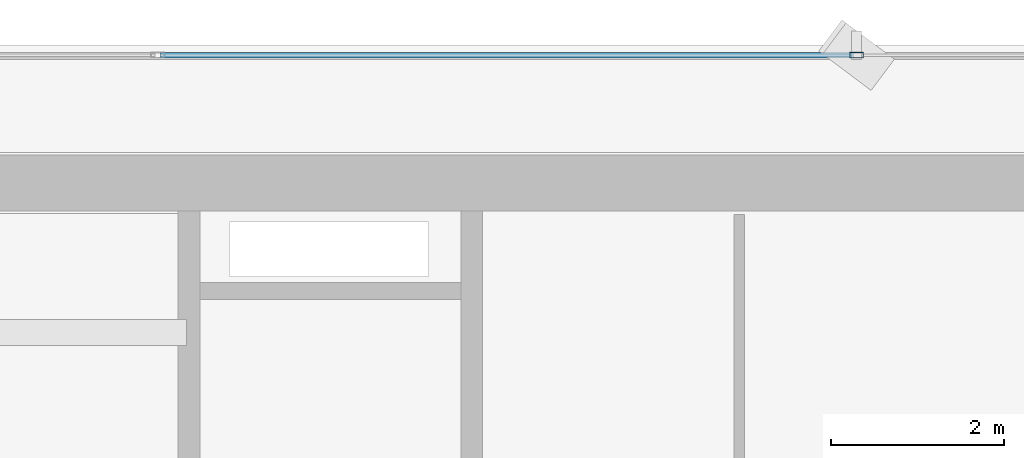
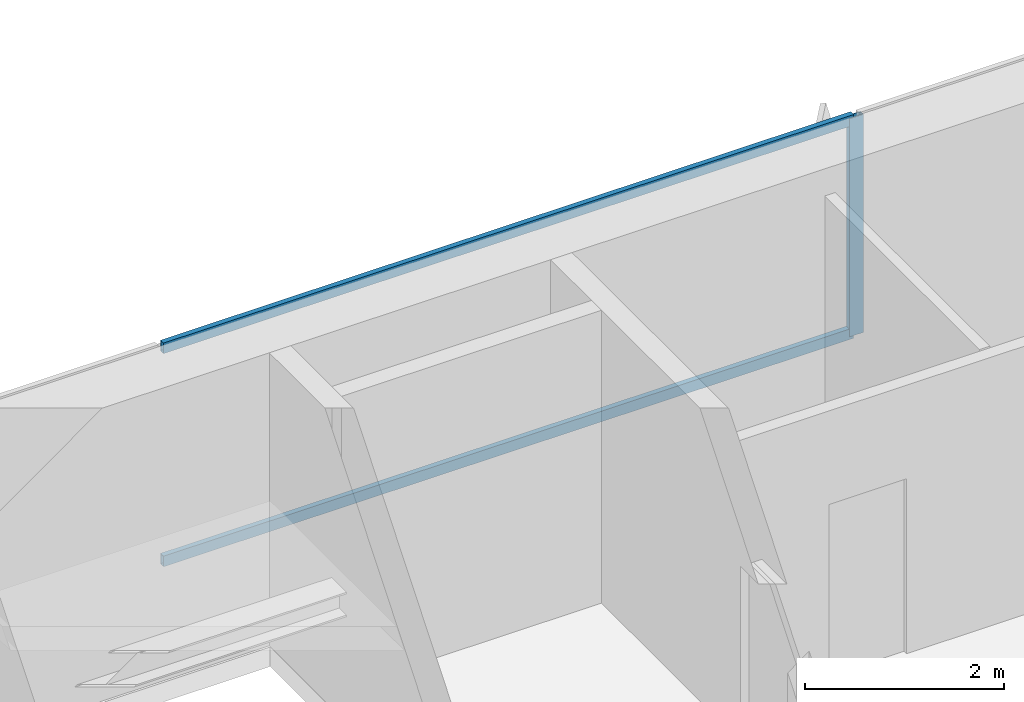
# One storey, part 21 of 36: 3 members, 1 element without a shape of its own.
"""IFC4 building model written with IfcOpenShell, lengths in metres."""

from ifc_helpers import new_model, si_unit, direction, frame, origin, origin_2d, place, context, subcontext, project, spatial, hollow_rectangle, extrude, source, transform, mapped, material, layer, layer_set, material_profile, profile_set, type_object, element, aggregate, save


model = new_model("IFC4")

# Units and contexts
model_context = context("Model", 3, precision=1e-05, world=origin(), true_north=direction((0.0, 1.0)))
body_context = subcontext(model_context, "Body", "Model", "MODEL_VIEW")
ifc_project = project(units=[si_unit("LENGTHUNIT", "METRE"), si_unit("AREAUNIT", "SQUARE_METRE"), si_unit("VOLUMEUNIT", "CUBIC_METRE"), si_unit("PLANEANGLEUNIT", "RADIAN"), si_unit("MASSUNIT", "GRAM", prefix="KILO")], contexts=[model_context])

# Site, building, storey
site_placement = place(None, origin())
site = spatial("IfcSite", under=ifc_project, at=site_placement, CompositionType="ELEMENT")
building_placement = place(site_placement, origin())
building = spatial("IfcBuilding", under=site, at=building_placement, Name="Sumidabori Civic Tower", CompositionType="ELEMENT")
storey_placement = place(building_placement, frame((0.0, 0.0, 120.800048828125)))
storey = spatial("IfcBuildingStorey", under=building, at=storey_placement, Name="L31", CompositionType="ELEMENT", Elevation=120.800048828125)

# Curtain wall, members
ifc_material = material(Name="Anodised Bronze Aluminium AW-6063-T6", Category="aluminium")
ifc_layer = layer(ifc_material, 0.179931640625, Name="Anodised Bronze Aluminium AW-6063-T6")
ifc_layer_set = layer_set([ifc_layer], Name="Anodised Bronze Aluminium AW-6063-T6")
curtain_wall_type = type_object("IfcCurtainWallType", Name="CW-SYS-3", PredefinedType="NOTDEFINED", material=ifc_layer_set)
curtain_wall_placement = place(storey_placement, origin())
curtain_wall = element("IfcCurtainWall", 1, at=curtain_wall_placement, inside=storey, type_object=curtain_wall_type, Name="Curtain Wall CW:L31:R07", PredefinedType="NOTDEFINED")
ifc_material_profile_1 = material_profile(ifc_material, hollow_rectangle(XDim=0.06005859375, YDim=0.1298828125, WallThickness=0.0048828125, at=origin_2d()), Name="ALU TRANSOM 130x60")
ifc_profile_set_1 = profile_set([ifc_material_profile_1], Name="Anodised Bronze Aluminium AW-6063-T6")
member_type_1 = type_object("IfcMemberType", Name="CW-TRN-130", PredefinedType="USERDEFINED", material=ifc_profile_set_1)
shared_shape_1 = source(origin(), body_context, "Body", "SweptSolid", [
    extrude(hollow_rectangle(XDim=0.06005859375, YDim=0.1298828125, WallThickness=0.0048828125, at=origin_2d()), origin(), (0.0, 0.0, 1.0), 8.023193359375),
])
member_1_placement = place(storey_placement, frame((-4.076416015625, 25.280029296875, 0.030029296875), z_axis=(-1.0, 0.0, 0.0), x_axis=(0.0, -1.0, 0.0)))
member_1 = element("IfcMember", 2, at=member_1_placement, type_object=member_type_1, Name="CW-3 transom 4.1", ObjectType="TRANSOM", PredefinedType="USERDEFINED", context=body_context, shape_type="MappedRepresentation", body=[
    mapped(shared_shape_1, transform((0.0, 0.0, 0.0), x_axis=(1.0, 0.0, 0.0), y_axis=(0.0, 1.0, 0.0), z_axis=(0.0, 0.0, 1.0), scale=1.0)),
])
member_2_placement = place(storey_placement, frame((-4.076416015625, 25.280029296875, 2.64990234375), z_axis=(-1.0, 0.0, 0.0), x_axis=(0.0, -1.0, 0.0)))
member_2 = element("IfcMember", 3, at=member_2_placement, type_object=member_type_1, Name="CW-3 transom 4.2", ObjectType="TRANSOM", PredefinedType="USERDEFINED", context=body_context, shape_type="MappedRepresentation", body=[
    mapped(shared_shape_1, transform((0.0, 0.0, 0.0), x_axis=(1.0, 0.0, 0.0), y_axis=(0.0, 1.0, 0.0), z_axis=(0.0, 0.0, 1.0), scale=1.0)),
])
ifc_material_profile_2 = material_profile(ifc_material, hollow_rectangle(XDim=0.06494140625, YDim=0.159912109375, WallThickness=0.0048828125, at=origin_2d()), Name="ALU MULLION 160x65")
ifc_profile_set_2 = profile_set([ifc_material_profile_2], Name="Anodised Bronze Aluminium AW-6063-T6")
member_type_2 = type_object("IfcMemberType", Name="CW-MUL-160", PredefinedType="MULLION", material=ifc_profile_set_2)
shared_shape_2 = source(origin(), body_context, "Body", "SweptSolid", [
    extrude(hollow_rectangle(XDim=0.06494140625, YDim=0.159912109375, WallThickness=0.0048828125, at=origin_2d()), origin(), (0.0, 0.0, 1.0), 2.679931640625),
])
member_3_placement = place(storey_placement, frame((-4.0439453125, 25.280029296875, 0.0), z_axis=(0.0, 0.0, 1.0), x_axis=(0.0, -1.0, 0.0)))
member_3 = element("IfcMember", 4, at=member_3_placement, type_object=member_type_2, Name="CW-3 mullion 4", PredefinedType="MULLION", context=body_context, shape_type="MappedRepresentation", body=[
    mapped(shared_shape_2, transform((0.0, 0.0, 0.0), x_axis=(1.0, 0.0, 0.0), y_axis=(0.0, 1.0, 0.0), z_axis=(0.0, 0.0, 1.0), scale=1.0)),
])
aggregate(curtain_wall, [member_3, member_1, member_2])

save(model, "model.ifc")
